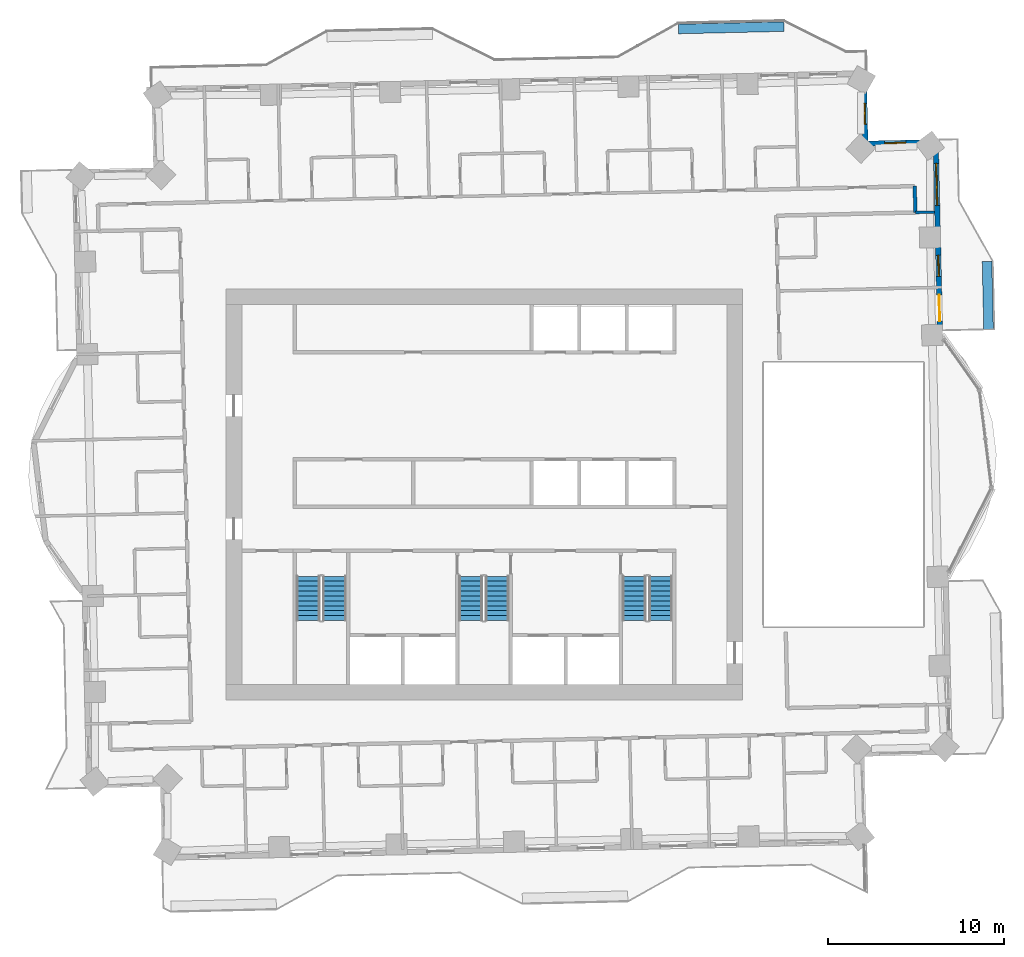
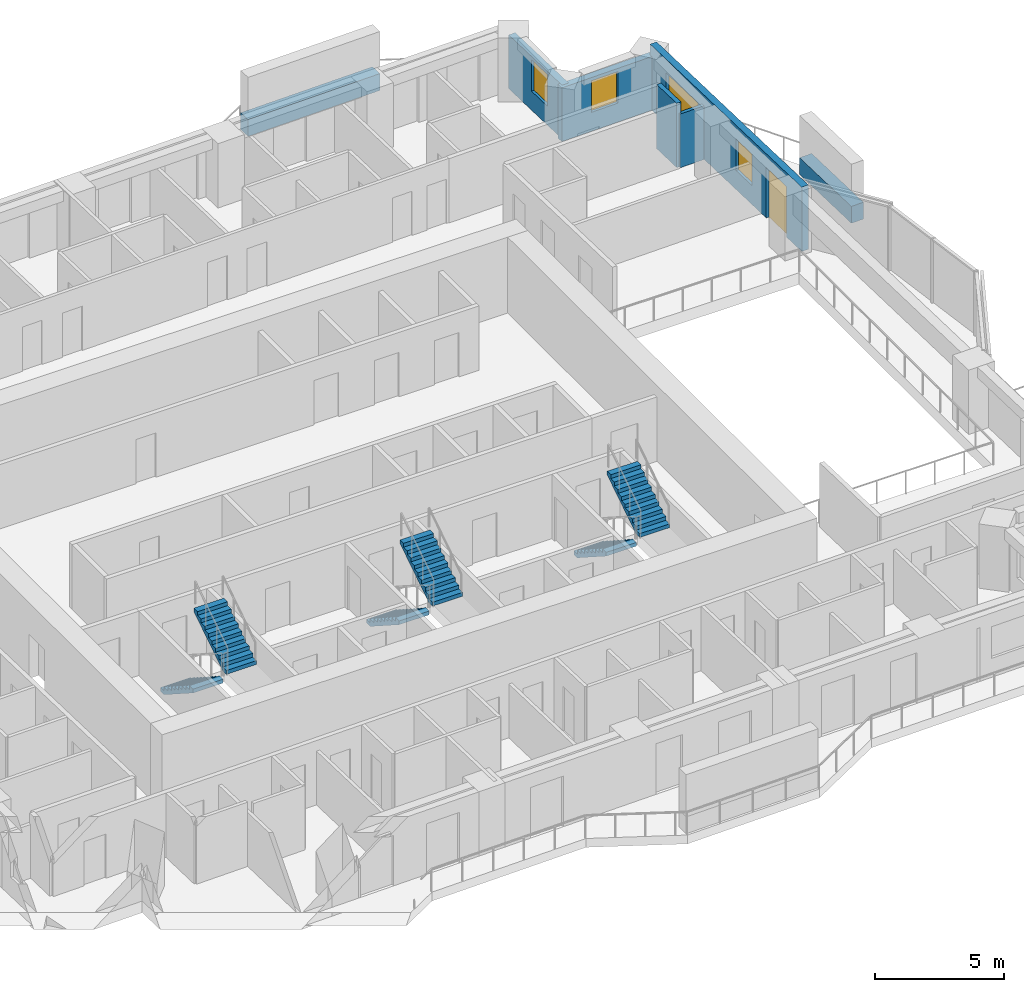
# One storey, part 12 of 16: 7 walls, 6 stair flights, 4 windows, 1 door, 5 openings, 3 elements without a shape of their own.
"""IFC4 building model written with IfcOpenShell, lengths in metres."""

from ifc_helpers import new_model, si_unit, direction, frame, frame_2d, origin, place, context, subcontext, project, spatial, polyline, rectangle, outline, extrude, material, layer, layer_set, type_object, element, fill, aggregate, save


model = new_model("IFC4")

# Units and contexts
model_context = context("Model", 3, precision=1e-05, world=origin(), true_north=direction((0.0, 1.0)))
body_context = subcontext(model_context, "Body", "Model", "MODEL_VIEW")
ifc_project = project(units=[si_unit("LENGTHUNIT", "METRE"), si_unit("AREAUNIT", "SQUARE_METRE"), si_unit("VOLUMEUNIT", "CUBIC_METRE"), si_unit("PLANEANGLEUNIT", "RADIAN"), si_unit("MASSUNIT", "GRAM", prefix="KILO")], contexts=[model_context])

# Site, building, storey
site_placement = place(None, origin())
site = spatial("IfcSite", under=ifc_project, at=site_placement, CompositionType="ELEMENT")
building_placement = place(site_placement, origin())
building = spatial("IfcBuilding", under=site, at=building_placement, Name="Mangrove Gate Tower", CompositionType="ELEMENT")
storey_placement = place(building_placement, frame((0.0, 0.0, 189.699951171875)))
storey = spatial("IfcBuildingStorey", under=building, at=storey_placement, Name="L48", CompositionType="ELEMENT", Elevation=189.699951171875)

# Wall
ifc_material_1 = material(Name="Gypsum board on steel stud, EI 60", Category="steel")
ifc_layer_1 = layer(ifc_material_1, 0.199951171875)
ifc_layer_set_1 = layer_set([ifc_layer_1], Name="Corridor wall EI 60")
wall_type_1 = type_object("IfcWallType", Name="Corridor wall EI 60", PredefinedType="PARTITIONING", material=ifc_layer_set_1)
wall_1_placement = place(storey_placement, frame((24.51904296875, 16.048095703125, 0.0), z_axis=(0.0, 0.0, 1.0), x_axis=(-0.022632637625, 0.99974384905, 0.0)))
element("IfcWall", 1, at=wall_1_placement, inside=storey, type_object=wall_type_1, Name="WALL-L48-057", PredefinedType="PARTITIONING", context=body_context, shape_type="SweptSolid", body=[
    extrude(rectangle(XDim=1.49951171875, YDim=0.199951171875, at=frame_2d((0.749755859375, 0.0))), origin(), (0.0, 0.0, 1.0), 3.050048828125),
])

# Wall, openings, door, windows
ifc_material_2 = material(Name="Limestone", Category="masonry")
ifc_layer_2 = layer(ifc_material_2, 0.0400390625, Name="Limestone cladding")
ifc_material_3 = material(Name="Ventilated air gap")
ifc_layer_3 = layer(ifc_material_3, 0.0400390625, Name="Ventilated cavity")
ifc_material_4 = material(Name="Mineral wool insulation")
ifc_layer_4 = layer(ifc_material_4, 0.06005859375, Name="Insulation")
ifc_material_5 = material(Name="Breather membrane")
ifc_layer_5 = layer(ifc_material_5, 0.001953125, Name="Breather membrane")
ifc_material_6 = material(Name="Concrete C20/25 blockwork", Category="masonry")
ifc_layer_6 = layer(ifc_material_6, 0.14990234375, Name="Blockwork backing wall")
ifc_material_7 = material(Name="Gypsum plaster")
ifc_layer_7 = layer(ifc_material_7, 0.008056640625, Name="Internal plaster")
ifc_layer_set_2 = layer_set([ifc_layer_2, ifc_layer_3, ifc_layer_4, ifc_layer_5, ifc_layer_6, ifc_layer_7], Name="External wall 300 limestone cladding")
wall_type_2 = type_object("IfcWallType", Name="External wall 300 limestone cladding", PredefinedType="SOLIDWALL", material=ifc_layer_set_2)
wall_2_placement = place(storey_placement, frame((25.93603515625, 8.697021484375, 0.0), z_axis=(0.0, 0.0, 1.0), x_axis=(-0.022636437932, 0.99974376301, 0.0)))
wall_2 = element("IfcWall", 2, at=wall_2_placement, inside=storey, type_object=wall_type_2, Name="WALL-L48-E2s1", PredefinedType="SOLIDWALL", context=body_context, shape_type="SweptSolid", body=[
    extrude(rectangle(XDim=11.35693359375, YDim=0.300048828125, at=frame_2d((5.678466796875, 0.0))), origin(), (0.0, 0.0, 1.0), 3.050048828125),
])
opening_1_placement = place(wall_2_placement, frame((1.160888671875, 0.0, 0.0)))
opening_1 = element("IfcOpeningElement", 3, at=opening_1_placement, cuts=wall_2, Name="Opening BD1", PredefinedType="OPENING", context=body_context, shape_type="SweptSolid", body=[
    extrude(rectangle(XDim=1.5, YDim=2.39990234375, at=frame_2d((0.75, 1.199951171875))), frame((0.0, 0.159912109375, 0.0), z_axis=(0.0, -1.0, 0.0), x_axis=(1.0, 0.0, 0.0)), (0.0, 0.0, 1.0), 0.320068359375),
])
opening_2_placement = place(wall_2_placement, frame((3.716064453125, 0.0, 0.89990234375)))
opening_2 = element("IfcOpeningElement", 4, at=opening_2_placement, cuts=wall_2, Name="Opening W1", PredefinedType="OPENING", context=body_context, shape_type="SweptSolid", body=[
    extrude(rectangle(XDim=1.199951171875, YDim=1.5, at=frame_2d((0.60009765625, 0.75))), frame((0.0, 0.159912109375, 0.0), z_axis=(0.0, -1.0, 0.0), x_axis=(1.0, 0.0, 0.0)), (0.0, 0.0, 1.0), 0.320068359375),
])
opening_3_placement = place(wall_2_placement, frame((7.7490234375, 0.0, 0.89990234375)))
opening_3 = element("IfcOpeningElement", 5, at=opening_3_placement, cuts=wall_2, Name="Opening W2", PredefinedType="OPENING", context=body_context, shape_type="SweptSolid", body=[
    extrude(rectangle(XDim=2.39990234375, YDim=1.5, at=frame_2d((1.199951171875, 0.75))), frame((0.0, 0.159912109375, 0.0), z_axis=(0.0, -1.0, 0.0), x_axis=(1.0, 0.0, 0.0)), (0.0, 0.0, 1.0), 0.320068359375),
])
ifc_material_8 = material(Name="Aluminium frame with laminated clear glass", Category="aluminium")
door_type = type_object("IfcDoorType", Name="Balcony sliding door 1500x2400", OperationType="SLIDING_TO_LEFT", PredefinedType="DOOR", material=ifc_material_8)
door_placement = place(opening_1_placement, origin())
door = element("IfcDoor", 6, at=door_placement, inside=storey, type_object=door_type, Name="DOOR-L48-E2-1", OperationType="SLIDING_TO_LEFT", OverallHeight=2.39990234375, OverallWidth=1.5, PredefinedType="DOOR", context=body_context, shape_type="SweptSolid", body=[
    extrude(rectangle(XDim=1.5, YDim=2.39990234375, at=frame_2d((0.75, 1.199951171875))), frame((0.0, 0.02490234375, 0.0), z_axis=(0.0, -1.0, 0.0), x_axis=(1.0, 0.0, 0.0)), (0.0, 0.0, 1.0), 0.050048828125),
])
fill(opening_1, door)
ifc_material_9 = material(Name="Aluminium frame with double-glazed low-e glass", Category="aluminium")
window_type_1 = type_object("IfcWindowType", Name="Corner room window 2400x1500", PartitioningType="DOUBLE_PANEL_VERTICAL", PredefinedType="WINDOW", material=ifc_material_9)
window_1_placement = place(opening_3_placement, origin())
window_1 = element("IfcWindow", 7, at=window_1_placement, inside=storey, type_object=window_type_1, Name="WIN-L48-E2-3", OverallHeight=1.5, OverallWidth=2.39990234375, PartitioningType="DOUBLE_PANEL_VERTICAL", PredefinedType="WINDOW", context=body_context, shape_type="SweptSolid", body=[
    extrude(rectangle(XDim=2.39990234375, YDim=1.5, at=frame_2d((1.199951171875, 0.75))), frame((0.0, 0.030029296875, 0.0), z_axis=(0.0, -1.0, 0.0), x_axis=(1.0, 0.0, 0.0)), (0.0, 0.0, 1.0), 0.06005859375),
])
fill(opening_3, window_1)
ifc_material_10 = material(Name="Aluminium frame with double-glazed low-e glass", Category="aluminium")
window_type_2 = type_object("IfcWindowType", Name="Side lite 1200x1500", PartitioningType="SINGLE_PANEL", PredefinedType="WINDOW", material=ifc_material_10)
window_2_placement = place(opening_2_placement, origin())
window_2 = element("IfcWindow", 8, at=window_2_placement, inside=storey, type_object=window_type_2, Name="WIN-L48-E2-2", OverallHeight=1.5, OverallWidth=1.199951171875, PartitioningType="SINGLE_PANEL", PredefinedType="WINDOW", context=body_context, shape_type="SweptSolid", body=[
    extrude(rectangle(XDim=1.199951171875, YDim=1.5, at=frame_2d((0.60009765625, 0.75))), frame((0.0, 0.030029296875, 0.0), z_axis=(0.0, -1.0, 0.0), x_axis=(1.0, 0.0, 0.0)), (0.0, 0.0, 1.0), 0.06005859375),
])
fill(opening_2, window_2)

# Wall, opening, window
wall_3_placement = place(storey_placement, frame((25.678955078125, 20.051025390625, 0.0), z_axis=(0.0, 0.0, 1.0), x_axis=(-0.999745614085, -0.022554536529, 0.0)))
wall_3 = element("IfcWall", 9, at=wall_3_placement, inside=storey, type_object=wall_type_2, Name="WALL-L48-N3s1", PredefinedType="SOLIDWALL", context=body_context, shape_type="SweptSolid", body=[
    extrude(rectangle(XDim=4.25390625, YDim=0.300048828125, at=frame_2d((2.126953125, 0.0))), origin(), (0.0, 0.0, 1.0), 2.550048828125),
])
opening_4_placement = place(wall_3_placement, frame((1.699951171875, 0.0, 0.89990234375)))
opening_4 = element("IfcOpeningElement", 10, at=opening_4_placement, cuts=wall_3, Name="Opening W1", PredefinedType="OPENING", context=body_context, shape_type="SweptSolid", body=[
    extrude(rectangle(XDim=1.199951171875, YDim=1.5, at=frame_2d((0.60009765625, 0.75))), frame((0.0, 0.159912109375, 0.0), z_axis=(0.0, -1.0, 0.0), x_axis=(1.0, 0.0, 0.0)), (0.0, 0.0, 1.0), 0.320068359375),
])
window_3_placement = place(opening_4_placement, origin())
window_3 = element("IfcWindow", 11, at=window_3_placement, inside=storey, type_object=window_type_2, Name="WIN-L48-N3-1", OverallHeight=1.5, OverallWidth=1.199951171875, PartitioningType="SINGLE_PANEL", PredefinedType="WINDOW", context=body_context, shape_type="SweptSolid", body=[
    extrude(rectangle(XDim=1.199951171875, YDim=1.5, at=frame_2d((0.60009765625, 0.75))), frame((0.0, 0.030029296875, 0.0), z_axis=(0.0, -1.0, 0.0), x_axis=(1.0, 0.0, 0.0)), (0.0, 0.0, 1.0), 0.06005859375),
])
fill(opening_4, window_3)

wall_4_placement = place(storey_placement, frame((21.679931640625, 19.9599609375, 0.0), z_axis=(0.0, 0.0, 1.0), x_axis=(-0.022704768219, 0.999742213523, 0.0)))
wall_4 = element("IfcWall", 12, at=wall_4_placement, inside=storey, type_object=wall_type_2, Name="WALL-L48-E4", PredefinedType="SOLIDWALL", context=body_context, shape_type="SweptSolid", body=[
    extrude(rectangle(XDim=4.0, YDim=0.300048828125, at=frame_2d((2.0, 0.0))), origin(), (0.0, 0.0, 1.0), 2.550048828125),
])
opening_5_placement = place(wall_4_placement, frame((1.093017578125, 0.0, 0.89990234375)))
opening_5 = element("IfcOpeningElement", 13, at=opening_5_placement, cuts=wall_4, Name="Opening W1", PredefinedType="OPENING", context=body_context, shape_type="SweptSolid", body=[
    extrude(rectangle(XDim=1.199951171875, YDim=1.5, at=frame_2d((0.60009765625, 0.75))), frame((0.0, 0.159912109375, 0.0), z_axis=(0.0, -1.0, 0.0), x_axis=(1.0, 0.0, 0.0)), (0.0, 0.0, 1.0), 0.320068359375),
])
window_4_placement = place(opening_5_placement, origin())
window_4 = element("IfcWindow", 14, at=window_4_placement, inside=storey, type_object=window_type_2, Name="WIN-L48-E4-1", OverallHeight=1.5, OverallWidth=1.199951171875, PartitioningType="SINGLE_PANEL", PredefinedType="WINDOW", context=body_context, shape_type="SweptSolid", body=[
    extrude(rectangle(XDim=1.199951171875, YDim=1.5, at=frame_2d((0.60009765625, 0.75))), frame((0.0, 0.030029296875, 0.0), z_axis=(0.0, -1.0, 0.0), x_axis=(1.0, 0.0, 0.0)), (0.0, 0.0, 1.0), 0.06005859375),
])
fill(opening_5, window_4)

# Walls
ifc_material_11 = material(Name="Gypsum board on steel stud, EI 60", Category="steel")
ifc_layer_8 = layer(ifc_material_11, 0.14990234375)
ifc_layer_set_3 = layer_set([ifc_layer_8], Name="Party wall 150 EI 60")
wall_type_3 = type_object("IfcWallType", Name="Party wall 150 EI 60", PredefinedType="PARTITIONING", material=ifc_layer_set_3)
wall_5_placement = place(storey_placement, frame((24.51904296875, 16.0439453125, 0.0), z_axis=(0.0, 0.0, 1.0), x_axis=(0.999738732953, 0.022857511541, 0.0)))
element("IfcWall", 15, at=wall_5_placement, inside=storey, type_object=wall_type_3, Name="WALL-L48-055", PredefinedType="PARTITIONING", context=body_context, shape_type="SweptSolid", body=[
    extrude(rectangle(XDim=1.10009765625, YDim=0.14990234375, at=frame_2d((0.550048828125, 0.0))), origin(), (0.0, 0.0, 1.0), 2.550048828125),
])
ifc_material_12 = material(Name="Concrete C32/40", Category="concrete")
ifc_layer_9 = layer(ifc_material_12, 0.199951171875, Name="Planter trough wall")
ifc_material_13 = material(Name="Bituminous waterproofing membrane")
ifc_layer_10 = layer(ifc_material_13, 0.0048828125, Name="Waterproofing")
ifc_material_14 = material(Name="Drainage board and gravel")
ifc_layer_11 = layer(ifc_material_14, 0.044921875, Name="Drainage layer")
ifc_material_15 = material(Name="Planting soil")
ifc_layer_12 = layer(ifc_material_15, 0.300048828125, Name="Growing medium")
ifc_layer_set_4 = layer_set([ifc_layer_9, ifc_layer_10, ifc_layer_11, ifc_layer_12], Name="Planter wall 550 C32/40")
wall_type_4 = type_object("IfcWallType", Name="Planter wall 550 C32/40", PredefinedType="USERDEFINED", material=ifc_layer_set_4)
wall_6_placement = place(storey_placement, frame((28.68603515625, 9.39208984375, 0.0), z_axis=(0.0, 0.0, 1.0), x_axis=(-0.022744303924, 0.999741314861, 0.0)))
element("IfcWall", 16, at=wall_6_placement, inside=storey, type_object=wall_type_4, Name="PLANTER L48 E1.1", ObjectType="PLANTER", PredefinedType="USERDEFINED", context=body_context, shape_type="SweptSolid", body=[
    extrude(rectangle(XDim=3.875, YDim=0.550048828125, at=frame_2d((1.9375, 0.0))), origin(), (0.0, 0.0, 1.0), 0.800048828125),
])
wall_7_placement = place(storey_placement, frame((11.0390625, 26.486083984375, 0.0), z_axis=(0.0, 0.0, 1.0), x_axis=(0.999743094499, 0.022665943652, 0.0)))
element("IfcWall", 17, at=wall_7_placement, inside=storey, type_object=wall_type_4, Name="PLANTER L48 N0.1", ObjectType="PLANTER", PredefinedType="USERDEFINED", context=body_context, shape_type="SweptSolid", body=[
    extrude(rectangle(XDim=5.99951171875, YDim=0.550048828125, at=frame_2d((2.999755859375, 0.0))), origin(), (0.0, 0.0, 1.0), 0.800048828125),
])

# Stair, stair flights
ifc_material_16 = material(Name="Concrete C40/50", Category="concrete")
stair_type = type_object("IfcStairType", Name="Core stair 1350", PredefinedType="HALF_TURN_STAIR", material=ifc_material_16)
stair_1_placement = place(storey_placement, origin())
stair_1 = element("IfcStair", 18, at=stair_1_placement, inside=storey, type_object=stair_type, Name="L48 Stair 1", PredefinedType="HALF_TURN_STAIR")
ifc_material_17 = material(Name="Concrete C40/50", Category="concrete")
stair_flight_type = type_object("IfcStairFlightType", Name="Core stair flight 1350", PredefinedType="STRAIGHT", material=ifc_material_17)
stair_flight_1_placement = place(storey_placement, frame((-10.02490234375, -4.64990234375, 0.0), z_axis=(0.0, 0.0, 1.0), x_axis=(0.0, -1.0, 0.0)))
stair_flight_1 = element("IfcStairFlight", 19, at=stair_flight_1_placement, type_object=stair_flight_type, Name="ST1 flight 1", NumberOfRisers=10, NumberOfTreads=9, PredefinedType="STRAIGHT", RiserHeight=0.18, TreadLength=0.28, context=body_context, shape_type="SweptSolid", body=[
    extrude(outline(polyline([(0.0, 0.0), (0.0, 0.179931640625), (0.280029296875, 0.179931640625), (0.280029296875, 0.360107421875), (0.56005859375, 0.360107421875), (0.56005859375, 0.5400390625), (0.840087890625, 0.5400390625), (0.840087890625, 0.719970703125), (1.1201171875, 0.719970703125), (1.1201171875, 0.89990234375), (1.39990234375, 0.89990234375), (1.39990234375, 1.080078125), (1.679931640625, 1.080078125), (1.679931640625, 1.260009765625), (1.9599609375, 1.260009765625), (1.9599609375, 1.43994140625), (2.239990234375, 1.43994140625), (2.239990234375, 1.6201171875), (2.52001953125, 1.6201171875), (2.52001953125, 1.800048828125), (2.52001953125, 1.44189453125), (0.277099609375, 0.0), (0.0, 0.0)])), frame((0.0, 0.675048828125, 0.0), z_axis=(0.0, -1.0, 0.0), x_axis=(1.0, 0.0, 0.0)), (0.0, 0.0, 1.0), 1.35009765625),
])
stair_flight_2_placement = place(storey_placement, frame((-8.52490234375, -7.169921875, 1.800048828125), z_axis=(0.0, 0.0, 1.0), x_axis=(0.0, 1.0, 0.0)))
stair_flight_2 = element("IfcStairFlight", 20, at=stair_flight_2_placement, type_object=stair_flight_type, Name="ST1 flight 2", NumberOfRisers=10, NumberOfTreads=9, PredefinedType="STRAIGHT", RiserHeight=0.18, TreadLength=0.28, context=body_context, shape_type="SweptSolid", body=[
    extrude(outline(polyline([(0.0, 0.0), (0.0, 0.179931640625), (0.280029296875, 0.179931640625), (0.280029296875, 0.360107421875), (0.56005859375, 0.360107421875), (0.56005859375, 0.5400390625), (0.840087890625, 0.5400390625), (0.840087890625, 0.719970703125), (1.1201171875, 0.719970703125), (1.1201171875, 0.89990234375), (1.39990234375, 0.89990234375), (1.39990234375, 1.080078125), (1.679931640625, 1.080078125), (1.679931640625, 1.260009765625), (1.9599609375, 1.260009765625), (1.9599609375, 1.43994140625), (2.239990234375, 1.43994140625), (2.239990234375, 1.6201171875), (2.52001953125, 1.6201171875), (2.52001953125, 1.800048828125), (2.52001953125, 1.44189453125), (0.277099609375, 0.0), (0.0, 0.0)])), frame((0.0, 0.675048828125, 0.0), z_axis=(0.0, -1.0, 0.0), x_axis=(1.0, 0.0, 0.0)), (0.0, 0.0, 1.0), 1.35009765625),
])
aggregate(stair_1, [stair_flight_1, stair_flight_2])

stair_2_placement = place(storey_placement, origin())
stair_2 = element("IfcStair", 21, at=stair_2_placement, inside=storey, type_object=stair_type, Name="L48 Stair 2", PredefinedType="HALF_TURN_STAIR")
stair_flight_3_placement = place(storey_placement, frame((-0.77490234375, -4.64990234375, 0.0), z_axis=(0.0, 0.0, 1.0), x_axis=(0.0, -1.0, 0.0)))
stair_flight_3 = element("IfcStairFlight", 22, at=stair_flight_3_placement, type_object=stair_flight_type, Name="ST2 flight 1", NumberOfRisers=10, NumberOfTreads=9, PredefinedType="STRAIGHT", RiserHeight=0.18, TreadLength=0.28, context=body_context, shape_type="SweptSolid", body=[
    extrude(outline(polyline([(0.0, 0.0), (0.0, 0.179931640625), (0.280029296875, 0.179931640625), (0.280029296875, 0.360107421875), (0.56005859375, 0.360107421875), (0.56005859375, 0.5400390625), (0.840087890625, 0.5400390625), (0.840087890625, 0.719970703125), (1.1201171875, 0.719970703125), (1.1201171875, 0.89990234375), (1.39990234375, 0.89990234375), (1.39990234375, 1.080078125), (1.679931640625, 1.080078125), (1.679931640625, 1.260009765625), (1.9599609375, 1.260009765625), (1.9599609375, 1.43994140625), (2.239990234375, 1.43994140625), (2.239990234375, 1.6201171875), (2.52001953125, 1.6201171875), (2.52001953125, 1.800048828125), (2.52001953125, 1.44189453125), (0.277099609375, 0.0), (0.0, 0.0)])), frame((0.0, 0.675048828125, 0.0), z_axis=(0.0, -1.0, 0.0), x_axis=(1.0, 0.0, 0.0)), (0.0, 0.0, 1.0), 1.35009765625),
])
stair_flight_4_placement = place(storey_placement, frame((0.72509765625, -7.169921875, 1.800048828125), z_axis=(0.0, 0.0, 1.0), x_axis=(0.0, 1.0, 0.0)))
stair_flight_4 = element("IfcStairFlight", 23, at=stair_flight_4_placement, type_object=stair_flight_type, Name="ST2 flight 2", NumberOfRisers=10, NumberOfTreads=9, PredefinedType="STRAIGHT", RiserHeight=0.18, TreadLength=0.28, context=body_context, shape_type="SweptSolid", body=[
    extrude(outline(polyline([(0.0, 0.0), (0.0, 0.179931640625), (0.280029296875, 0.179931640625), (0.280029296875, 0.360107421875), (0.56005859375, 0.360107421875), (0.56005859375, 0.5400390625), (0.840087890625, 0.5400390625), (0.840087890625, 0.719970703125), (1.1201171875, 0.719970703125), (1.1201171875, 0.89990234375), (1.39990234375, 0.89990234375), (1.39990234375, 1.080078125), (1.679931640625, 1.080078125), (1.679931640625, 1.260009765625), (1.9599609375, 1.260009765625), (1.9599609375, 1.43994140625), (2.239990234375, 1.43994140625), (2.239990234375, 1.6201171875), (2.52001953125, 1.6201171875), (2.52001953125, 1.800048828125), (2.52001953125, 1.44189453125), (0.277099609375, 0.0), (0.0, 0.0)])), frame((0.0, 0.675048828125, 0.0), z_axis=(0.0, -1.0, 0.0), x_axis=(1.0, 0.0, 0.0)), (0.0, 0.0, 1.0), 1.35009765625),
])
aggregate(stair_2, [stair_flight_3, stair_flight_4])

stair_3_placement = place(storey_placement, origin())
stair_3 = element("IfcStair", 24, at=stair_3_placement, inside=storey, type_object=stair_type, Name="L48 Stair 3", PredefinedType="HALF_TURN_STAIR")
stair_flight_5_placement = place(storey_placement, frame((8.52490234375, -4.64990234375, 0.0), z_axis=(0.0, 0.0, 1.0), x_axis=(0.0, -1.0, 0.0)))
stair_flight_5 = element("IfcStairFlight", 25, at=stair_flight_5_placement, type_object=stair_flight_type, Name="ST3 flight 1", NumberOfRisers=10, NumberOfTreads=9, PredefinedType="STRAIGHT", RiserHeight=0.18, TreadLength=0.28, context=body_context, shape_type="SweptSolid", body=[
    extrude(outline(polyline([(0.0, 0.0), (0.0, 0.179931640625), (0.280029296875, 0.179931640625), (0.280029296875, 0.360107421875), (0.56005859375, 0.360107421875), (0.56005859375, 0.5400390625), (0.840087890625, 0.5400390625), (0.840087890625, 0.719970703125), (1.1201171875, 0.719970703125), (1.1201171875, 0.89990234375), (1.39990234375, 0.89990234375), (1.39990234375, 1.080078125), (1.679931640625, 1.080078125), (1.679931640625, 1.260009765625), (1.9599609375, 1.260009765625), (1.9599609375, 1.43994140625), (2.239990234375, 1.43994140625), (2.239990234375, 1.6201171875), (2.52001953125, 1.6201171875), (2.52001953125, 1.800048828125), (2.52001953125, 1.44189453125), (0.277099609375, 0.0), (0.0, 0.0)])), frame((0.0, 0.675048828125, 0.0), z_axis=(0.0, -1.0, 0.0), x_axis=(1.0, 0.0, 0.0)), (0.0, 0.0, 1.0), 1.35009765625),
])
stair_flight_6_placement = place(storey_placement, frame((10.02490234375, -7.169921875, 1.800048828125), z_axis=(0.0, 0.0, 1.0), x_axis=(0.0, 1.0, 0.0)))
stair_flight_6 = element("IfcStairFlight", 26, at=stair_flight_6_placement, type_object=stair_flight_type, Name="ST3 flight 2", NumberOfRisers=10, NumberOfTreads=9, PredefinedType="STRAIGHT", RiserHeight=0.18, TreadLength=0.28, context=body_context, shape_type="SweptSolid", body=[
    extrude(outline(polyline([(0.0, 0.0), (0.0, 0.179931640625), (0.280029296875, 0.179931640625), (0.280029296875, 0.360107421875), (0.56005859375, 0.360107421875), (0.56005859375, 0.5400390625), (0.840087890625, 0.5400390625), (0.840087890625, 0.719970703125), (1.1201171875, 0.719970703125), (1.1201171875, 0.89990234375), (1.39990234375, 0.89990234375), (1.39990234375, 1.080078125), (1.679931640625, 1.080078125), (1.679931640625, 1.260009765625), (1.9599609375, 1.260009765625), (1.9599609375, 1.43994140625), (2.239990234375, 1.43994140625), (2.239990234375, 1.6201171875), (2.52001953125, 1.6201171875), (2.52001953125, 1.800048828125), (2.52001953125, 1.44189453125), (0.277099609375, 0.0), (0.0, 0.0)])), frame((0.0, 0.675048828125, 0.0), z_axis=(0.0, -1.0, 0.0), x_axis=(1.0, 0.0, 0.0)), (0.0, 0.0, 1.0), 1.35009765625),
])
aggregate(stair_3, [stair_flight_5, stair_flight_6])

save(model, "model.ifc")
